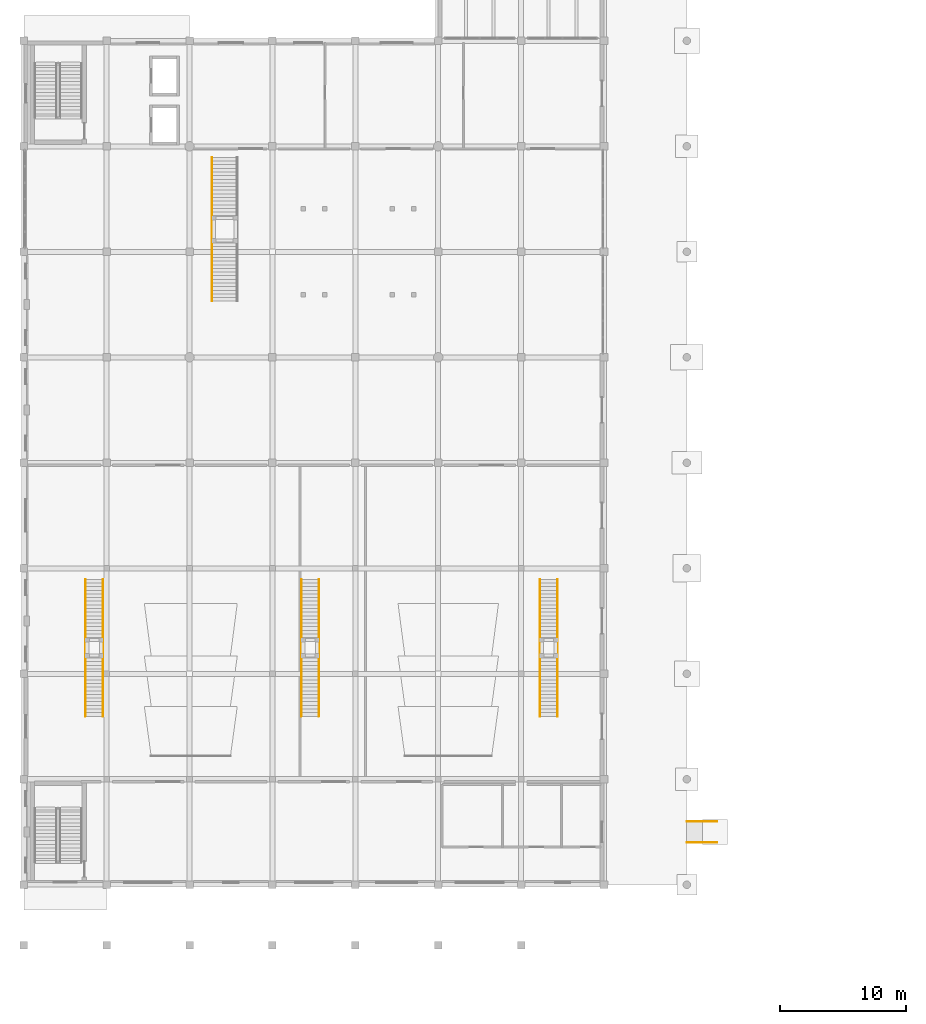
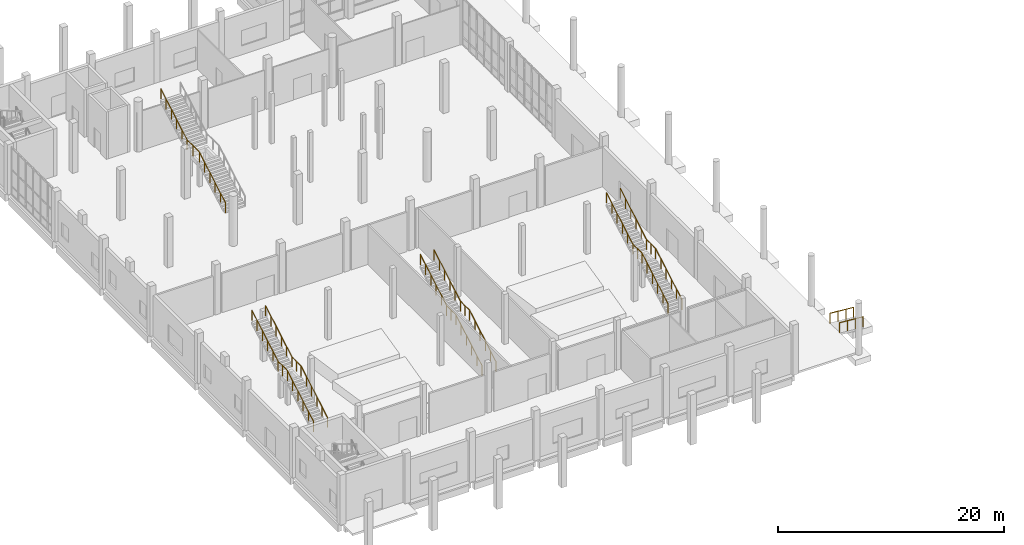
# One storey, part 56 of 64: 9 railings.
"""IFC4 building model written with IfcOpenShell, lengths in metres."""

from ifc_helpers import new_model, si_unit, direction, frame, origin, origin_2d, place, context, subcontext, project, spatial, circle, extrude, material, type_object, element, save


model = new_model("IFC4")

# Units and contexts
model_context = context("Model", 3, precision=1e-05, world=origin(), true_north=direction((0.0, 1.0)))
body_context = subcontext(model_context, "Body", "Model", "MODEL_VIEW")
ifc_project = project(units=[si_unit("LENGTHUNIT", "METRE"), si_unit("AREAUNIT", "SQUARE_METRE"), si_unit("VOLUMEUNIT", "CUBIC_METRE"), si_unit("PLANEANGLEUNIT", "RADIAN"), si_unit("MASSUNIT", "GRAM", prefix="KILO")], contexts=[model_context])

# Site, building, storey
site_placement = place(None, origin())
site = spatial("IfcSite", under=ifc_project, at=site_placement, CompositionType="ELEMENT")
building_placement = place(site_placement, origin())
building = spatial("IfcBuilding", under=site, at=building_placement, Name="Qaldarim Faculty of Natural and Applied Sciences", CompositionType="ELEMENT")
storey_placement = place(building_placement, origin())
storey = spatial("IfcBuildingStorey", under=building, at=storey_placement, Name="L00", CompositionType="ELEMENT", Elevation=0.0)

# Railings
ifc_material = material(Name="Architectural stainless steel 316", Category="steel")
railing_type_1 = type_object("IfcRailingType", Name="ExteriorGuardBalustrade-1100", PredefinedType="BALUSTRADE", material=ifc_material)
for number, where, name in (
    (1, (55.199951171875, 20.159912109375, -0.199951171875), "West civic square accessible ramp handrail L"),
    (2, (55.199951171875, 21.840087890625, -0.199951171875), "West civic square accessible ramp handrail R"),
):
    element("IfcRailing", number, at=place(storey_placement, frame(where)), inside=storey, type_object=railing_type_1, Name=name, PredefinedType="BALUSTRADE", context=body_context, shape_type="SweptSolid", body=[
        extrude(circle(Radius=0.02392578125, at=origin_2d()), frame((0.0, 0.0, 1.076171875), z_axis=(-0.996547156423, 0.0, 0.083028700011), x_axis=(0.0, -1.0, 0.0)), (0.0, 0.0, 1.0), 2.408203125),
        extrude(circle(Radius=0.02099609375, at=origin_2d()), origin(), (0.0, 0.0, 1.0), 1.052001953125),
        extrude(circle(Radius=0.02099609375, at=origin_2d()), frame((-0.800048828125, 0.0, 0.066650390625)), (0.0, 0.0, 1.0), 1.052001953125),
        extrude(circle(Radius=0.02099609375, at=origin_2d()), frame((-1.599853515625, 0.0, 0.13330078125)), (0.0, 0.0, 1.0), 1.052001953125),
        extrude(circle(Radius=0.02099609375, at=origin_2d()), frame((-2.39990234375, 0.0, 0.199951171875)), (0.0, 0.0, 1.0), 1.052001953125),
    ])
railing_type_2 = type_object("IfcRailingType", Name="GuardBalustrade-1100", PredefinedType="BALUSTRADE", material=ifc_material)
railing_1_placement = place(storey_placement, frame((15.0, 63.264892578125, 0.0)))
element("IfcRailing", 3, at=railing_1_placement, inside=storey, type_object=railing_type_2, Name="Atrium monumental stair L00 guard balustrade W", PredefinedType="BALUSTRADE", context=body_context, shape_type="SweptSolid", body=[
    extrude(circle(Radius=0.02392578125, at=origin_2d()), frame((0.0, 0.00341796875, 1.078125), z_axis=(0.0, 0.864329288335, 0.502926317989), x_axis=(-1.0, 0.0, 0.0)), (0.0, 0.0, 1.0), 5.360595703125),
    extrude(circle(Radius=0.02392578125, at=origin_2d()), frame((0.0, 4.64404296875, 3.77587890625), z_axis=(0.0, 1.0, 0.0), x_axis=(-1.0, 0.0, 0.0)), (0.0, 0.0, 1.0), 2.161865234375),
    extrude(circle(Radius=0.02392578125, at=origin_2d()), frame((0.0, 6.8134765625, 3.778076171875), z_axis=(0.0, 0.864329288335, 0.502926317989), x_axis=(-1.0, 0.0, 0.0)), (0.0, 0.0, 1.0), 5.360595703125),
    extrude(circle(Radius=0.02099609375, at=origin_2d()), origin(), (0.0, 0.0, 1.0), 1.052001953125),
    extrude(circle(Radius=0.02099609375, at=origin_2d()), frame((0.0, 0.927978515625, 0.5400390625)), (0.0, 0.0, 1.0), 1.052001953125),
    extrude(circle(Radius=0.02099609375, at=origin_2d()), frame((0.0, 1.85595703125, 1.080078125)), (0.0, 0.0, 1.0), 1.052001953125),
    extrude(circle(Radius=0.02099609375, at=origin_2d()), frame((0.0, 2.7841796875, 1.619873046875)), (0.0, 0.0, 1.0), 1.052001953125),
    extrude(circle(Radius=0.02099609375, at=origin_2d()), frame((0.0, 3.712158203125, 2.159912109375)), (0.0, 0.0, 1.0), 1.052001953125),
    extrude(circle(Radius=0.02099609375, at=origin_2d()), frame((0.0, 4.64013671875, 2.699951171875)), (0.0, 0.0, 1.0), 1.052001953125),
    extrude(circle(Radius=0.02099609375, at=origin_2d()), frame((0.0, 5.72509765625, 2.699951171875)), (0.0, 0.0, 1.0), 1.052001953125),
    extrude(circle(Radius=0.02099609375, at=origin_2d()), frame((0.0, 6.81005859375, 2.699951171875)), (0.0, 0.0, 1.0), 1.052001953125),
    extrude(circle(Radius=0.02099609375, at=origin_2d()), frame((0.0, 7.738037109375, 3.239990234375)), (0.0, 0.0, 1.0), 1.052001953125),
    extrude(circle(Radius=0.02099609375, at=origin_2d()), frame((0.0, 8.666015625, 3.780029296875)), (0.0, 0.0, 1.0), 1.052001953125),
    extrude(circle(Radius=0.02099609375, at=origin_2d()), frame((0.0, 9.59423828125, 4.31982421875)), (0.0, 0.0, 1.0), 1.052001953125),
    extrude(circle(Radius=0.02099609375, at=origin_2d()), frame((0.0, 10.522216796875, 4.85986328125)), (0.0, 0.0, 1.0), 1.052001953125),
    extrude(circle(Radius=0.02099609375, at=origin_2d()), frame((0.0, 11.4501953125, 5.39990234375)), (0.0, 0.0, 1.0), 1.052001953125),
])
railing_2_placement = place(storey_placement, frame((22.10009765625, 30.215087890625, 0.0)))
element("IfcRailing", 4, at=railing_2_placement, inside=storey, type_object=railing_type_2, Name="Lecture theatre vomitory stair 1 guard balustrade W", PredefinedType="BALUSTRADE", context=body_context, shape_type="SweptSolid", body=[
    extrude(circle(Radius=0.02392578125, at=origin_2d()), frame((0.0, 0.00341796875, 1.078125), z_axis=(0.0, 0.864317785025, 0.502946087061), x_axis=(-1.0, 0.0, 0.0)), (0.0, 0.0, 1.0), 5.3603515625),
    extrude(circle(Radius=0.02392578125, at=origin_2d()), frame((0.0, 4.643798828125, 3.77587890625), z_axis=(0.0, 1.0, 0.0), x_axis=(-1.0, 0.0, 0.0)), (0.0, 0.0, 1.0), 1.612060546875),
    extrude(circle(Radius=0.02392578125, at=origin_2d()), frame((0.0, 6.263427734375, 3.778076171875), z_axis=(0.0, 0.864317785025, 0.502946087061), x_axis=(-1.0, 0.0, 0.0)), (0.0, 0.0, 1.0), 5.3603515625),
    extrude(circle(Radius=0.02099609375, at=origin_2d()), origin(), (0.0, 0.0, 1.0), 1.052001953125),
    extrude(circle(Radius=0.02099609375, at=origin_2d()), frame((0.0, 0.927978515625, 0.5400390625)), (0.0, 0.0, 1.0), 1.052001953125),
    extrude(circle(Radius=0.02099609375, at=origin_2d()), frame((0.0, 1.85595703125, 1.080078125)), (0.0, 0.0, 1.0), 1.052001953125),
    extrude(circle(Radius=0.02099609375, at=origin_2d()), frame((0.0, 2.783935546875, 1.619873046875)), (0.0, 0.0, 1.0), 1.052001953125),
    extrude(circle(Radius=0.02099609375, at=origin_2d()), frame((0.0, 3.7119140625, 2.159912109375)), (0.0, 0.0, 1.0), 1.052001953125),
    extrude(circle(Radius=0.02099609375, at=origin_2d()), frame((0.0, 4.639892578125, 2.699951171875)), (0.0, 0.0, 1.0), 1.052001953125),
    extrude(circle(Radius=0.02099609375, at=origin_2d()), frame((0.0, 5.449951171875, 2.699951171875)), (0.0, 0.0, 1.0), 1.052001953125),
    extrude(circle(Radius=0.02099609375, at=origin_2d()), frame((0.0, 6.260009765625, 2.699951171875)), (0.0, 0.0, 1.0), 1.052001953125),
    extrude(circle(Radius=0.02099609375, at=origin_2d()), frame((0.0, 7.18798828125, 3.239990234375)), (0.0, 0.0, 1.0), 1.052001953125),
    extrude(circle(Radius=0.02099609375, at=origin_2d()), frame((0.0, 8.115966796875, 3.780029296875)), (0.0, 0.0, 1.0), 1.052001953125),
    extrude(circle(Radius=0.02099609375, at=origin_2d()), frame((0.0, 9.0439453125, 4.31982421875)), (0.0, 0.0, 1.0), 1.052001953125),
    extrude(circle(Radius=0.02099609375, at=origin_2d()), frame((0.0, 9.971923828125, 4.85986328125)), (0.0, 0.0, 1.0), 1.052001953125),
    extrude(circle(Radius=0.02099609375, at=origin_2d()), frame((0.0, 10.89990234375, 5.39990234375)), (0.0, 0.0, 1.0), 1.052001953125),
])
railing_3_placement = place(storey_placement, frame((23.5, 30.215087890625, 0.0)))
element("IfcRailing", 5, at=railing_3_placement, inside=storey, type_object=railing_type_2, Name="Lecture theatre vomitory stair 1 guard balustrade E", PredefinedType="BALUSTRADE", context=body_context, shape_type="SweptSolid", body=[
    extrude(circle(Radius=0.02392578125, at=origin_2d()), frame((0.0, 0.00341796875, 1.078125), z_axis=(0.0, 0.864317785025, 0.502946087061), x_axis=(-1.0, 0.0, 0.0)), (0.0, 0.0, 1.0), 5.3603515625),
    extrude(circle(Radius=0.02392578125, at=origin_2d()), frame((0.0, 4.643798828125, 3.77587890625), z_axis=(0.0, 1.0, 0.0), x_axis=(-1.0, 0.0, 0.0)), (0.0, 0.0, 1.0), 1.612060546875),
    extrude(circle(Radius=0.02392578125, at=origin_2d()), frame((0.0, 6.263427734375, 3.778076171875), z_axis=(0.0, 0.864317785025, 0.502946087061), x_axis=(-1.0, 0.0, 0.0)), (0.0, 0.0, 1.0), 5.3603515625),
    extrude(circle(Radius=0.02099609375, at=origin_2d()), origin(), (0.0, 0.0, 1.0), 1.052001953125),
    extrude(circle(Radius=0.02099609375, at=origin_2d()), frame((0.0, 0.927978515625, 0.5400390625)), (0.0, 0.0, 1.0), 1.052001953125),
    extrude(circle(Radius=0.02099609375, at=origin_2d()), frame((0.0, 1.85595703125, 1.080078125)), (0.0, 0.0, 1.0), 1.052001953125),
    extrude(circle(Radius=0.02099609375, at=origin_2d()), frame((0.0, 2.783935546875, 1.619873046875)), (0.0, 0.0, 1.0), 1.052001953125),
    extrude(circle(Radius=0.02099609375, at=origin_2d()), frame((0.0, 3.7119140625, 2.159912109375)), (0.0, 0.0, 1.0), 1.052001953125),
    extrude(circle(Radius=0.02099609375, at=origin_2d()), frame((0.0, 4.639892578125, 2.699951171875)), (0.0, 0.0, 1.0), 1.052001953125),
    extrude(circle(Radius=0.02099609375, at=origin_2d()), frame((0.0, 5.449951171875, 2.699951171875)), (0.0, 0.0, 1.0), 1.052001953125),
    extrude(circle(Radius=0.02099609375, at=origin_2d()), frame((0.0, 6.260009765625, 2.699951171875)), (0.0, 0.0, 1.0), 1.052001953125),
    extrude(circle(Radius=0.02099609375, at=origin_2d()), frame((0.0, 7.18798828125, 3.239990234375)), (0.0, 0.0, 1.0), 1.052001953125),
    extrude(circle(Radius=0.02099609375, at=origin_2d()), frame((0.0, 8.115966796875, 3.780029296875)), (0.0, 0.0, 1.0), 1.052001953125),
    extrude(circle(Radius=0.02099609375, at=origin_2d()), frame((0.0, 9.0439453125, 4.31982421875)), (0.0, 0.0, 1.0), 1.052001953125),
    extrude(circle(Radius=0.02099609375, at=origin_2d()), frame((0.0, 9.971923828125, 4.85986328125)), (0.0, 0.0, 1.0), 1.052001953125),
    extrude(circle(Radius=0.02099609375, at=origin_2d()), frame((0.0, 10.89990234375, 5.39990234375)), (0.0, 0.0, 1.0), 1.052001953125),
])
railing_4_placement = place(storey_placement, frame((41.10009765625, 30.215087890625, 0.0)))
element("IfcRailing", 6, at=railing_4_placement, inside=storey, type_object=railing_type_2, Name="Lecture theatre vomitory stair 2 guard balustrade W", PredefinedType="BALUSTRADE", context=body_context, shape_type="SweptSolid", body=[
    extrude(circle(Radius=0.02392578125, at=origin_2d()), frame((0.0, 0.00341796875, 1.078125), z_axis=(0.0, 0.864317785025, 0.502946087061), x_axis=(-1.0, 0.0, 0.0)), (0.0, 0.0, 1.0), 5.3603515625),
    extrude(circle(Radius=0.02392578125, at=origin_2d()), frame((0.0, 4.643798828125, 3.77587890625), z_axis=(0.0, 1.0, 0.0), x_axis=(-1.0, 0.0, 0.0)), (0.0, 0.0, 1.0), 1.612060546875),
    extrude(circle(Radius=0.02392578125, at=origin_2d()), frame((0.0, 6.263427734375, 3.778076171875), z_axis=(0.0, 0.864317785025, 0.502946087061), x_axis=(-1.0, 0.0, 0.0)), (0.0, 0.0, 1.0), 5.3603515625),
    extrude(circle(Radius=0.02099609375, at=origin_2d()), origin(), (0.0, 0.0, 1.0), 1.052001953125),
    extrude(circle(Radius=0.02099609375, at=origin_2d()), frame((0.0, 0.927978515625, 0.5400390625)), (0.0, 0.0, 1.0), 1.052001953125),
    extrude(circle(Radius=0.02099609375, at=origin_2d()), frame((0.0, 1.85595703125, 1.080078125)), (0.0, 0.0, 1.0), 1.052001953125),
    extrude(circle(Radius=0.02099609375, at=origin_2d()), frame((0.0, 2.783935546875, 1.619873046875)), (0.0, 0.0, 1.0), 1.052001953125),
    extrude(circle(Radius=0.02099609375, at=origin_2d()), frame((0.0, 3.7119140625, 2.159912109375)), (0.0, 0.0, 1.0), 1.052001953125),
    extrude(circle(Radius=0.02099609375, at=origin_2d()), frame((0.0, 4.639892578125, 2.699951171875)), (0.0, 0.0, 1.0), 1.052001953125),
    extrude(circle(Radius=0.02099609375, at=origin_2d()), frame((0.0, 5.449951171875, 2.699951171875)), (0.0, 0.0, 1.0), 1.052001953125),
    extrude(circle(Radius=0.02099609375, at=origin_2d()), frame((0.0, 6.260009765625, 2.699951171875)), (0.0, 0.0, 1.0), 1.052001953125),
    extrude(circle(Radius=0.02099609375, at=origin_2d()), frame((0.0, 7.18798828125, 3.239990234375)), (0.0, 0.0, 1.0), 1.052001953125),
    extrude(circle(Radius=0.02099609375, at=origin_2d()), frame((0.0, 8.115966796875, 3.780029296875)), (0.0, 0.0, 1.0), 1.052001953125),
    extrude(circle(Radius=0.02099609375, at=origin_2d()), frame((0.0, 9.0439453125, 4.31982421875)), (0.0, 0.0, 1.0), 1.052001953125),
    extrude(circle(Radius=0.02099609375, at=origin_2d()), frame((0.0, 9.971923828125, 4.85986328125)), (0.0, 0.0, 1.0), 1.052001953125),
    extrude(circle(Radius=0.02099609375, at=origin_2d()), frame((0.0, 10.89990234375, 5.39990234375)), (0.0, 0.0, 1.0), 1.052001953125),
])
railing_5_placement = place(storey_placement, frame((42.5, 30.215087890625, 0.0)))
element("IfcRailing", 7, at=railing_5_placement, inside=storey, type_object=railing_type_2, Name="Lecture theatre vomitory stair 2 guard balustrade E", PredefinedType="BALUSTRADE", context=body_context, shape_type="SweptSolid", body=[
    extrude(circle(Radius=0.02392578125, at=origin_2d()), frame((0.0, 0.00341796875, 1.078125), z_axis=(0.0, 0.864317785025, 0.502946087061), x_axis=(-1.0, 0.0, 0.0)), (0.0, 0.0, 1.0), 5.3603515625),
    extrude(circle(Radius=0.02392578125, at=origin_2d()), frame((0.0, 4.643798828125, 3.77587890625), z_axis=(0.0, 1.0, 0.0), x_axis=(-1.0, 0.0, 0.0)), (0.0, 0.0, 1.0), 1.612060546875),
    extrude(circle(Radius=0.02392578125, at=origin_2d()), frame((0.0, 6.263427734375, 3.778076171875), z_axis=(0.0, 0.864317785025, 0.502946087061), x_axis=(-1.0, 0.0, 0.0)), (0.0, 0.0, 1.0), 5.3603515625),
    extrude(circle(Radius=0.02099609375, at=origin_2d()), origin(), (0.0, 0.0, 1.0), 1.052001953125),
    extrude(circle(Radius=0.02099609375, at=origin_2d()), frame((0.0, 0.927978515625, 0.5400390625)), (0.0, 0.0, 1.0), 1.052001953125),
    extrude(circle(Radius=0.02099609375, at=origin_2d()), frame((0.0, 1.85595703125, 1.080078125)), (0.0, 0.0, 1.0), 1.052001953125),
    extrude(circle(Radius=0.02099609375, at=origin_2d()), frame((0.0, 2.783935546875, 1.619873046875)), (0.0, 0.0, 1.0), 1.052001953125),
    extrude(circle(Radius=0.02099609375, at=origin_2d()), frame((0.0, 3.7119140625, 2.159912109375)), (0.0, 0.0, 1.0), 1.052001953125),
    extrude(circle(Radius=0.02099609375, at=origin_2d()), frame((0.0, 4.639892578125, 2.699951171875)), (0.0, 0.0, 1.0), 1.052001953125),
    extrude(circle(Radius=0.02099609375, at=origin_2d()), frame((0.0, 5.449951171875, 2.699951171875)), (0.0, 0.0, 1.0), 1.052001953125),
    extrude(circle(Radius=0.02099609375, at=origin_2d()), frame((0.0, 6.260009765625, 2.699951171875)), (0.0, 0.0, 1.0), 1.052001953125),
    extrude(circle(Radius=0.02099609375, at=origin_2d()), frame((0.0, 7.18798828125, 3.239990234375)), (0.0, 0.0, 1.0), 1.052001953125),
    extrude(circle(Radius=0.02099609375, at=origin_2d()), frame((0.0, 8.115966796875, 3.780029296875)), (0.0, 0.0, 1.0), 1.052001953125),
    extrude(circle(Radius=0.02099609375, at=origin_2d()), frame((0.0, 9.0439453125, 4.31982421875)), (0.0, 0.0, 1.0), 1.052001953125),
    extrude(circle(Radius=0.02099609375, at=origin_2d()), frame((0.0, 9.971923828125, 4.85986328125)), (0.0, 0.0, 1.0), 1.052001953125),
    extrude(circle(Radius=0.02099609375, at=origin_2d()), frame((0.0, 10.89990234375, 5.39990234375)), (0.0, 0.0, 1.0), 1.052001953125),
])
railing_6_placement = place(storey_placement, frame((4.89990234375, 30.215087890625, 0.0)))
element("IfcRailing", 8, at=railing_6_placement, inside=storey, type_object=railing_type_2, Name="Lecture theatre vomitory stair 3 guard balustrade W", PredefinedType="BALUSTRADE", context=body_context, shape_type="SweptSolid", body=[
    extrude(circle(Radius=0.02392578125, at=origin_2d()), frame((0.0, 0.00341796875, 1.078125), z_axis=(0.0, 0.864317785025, 0.502946087061), x_axis=(-1.0, 0.0, 0.0)), (0.0, 0.0, 1.0), 5.3603515625),
    extrude(circle(Radius=0.02392578125, at=origin_2d()), frame((0.0, 4.643798828125, 3.77587890625), z_axis=(0.0, 1.0, 0.0), x_axis=(-1.0, 0.0, 0.0)), (0.0, 0.0, 1.0), 1.612060546875),
    extrude(circle(Radius=0.02392578125, at=origin_2d()), frame((0.0, 6.263427734375, 3.778076171875), z_axis=(0.0, 0.864317785025, 0.502946087061), x_axis=(-1.0, 0.0, 0.0)), (0.0, 0.0, 1.0), 5.3603515625),
    extrude(circle(Radius=0.02099609375, at=origin_2d()), origin(), (0.0, 0.0, 1.0), 1.052001953125),
    extrude(circle(Radius=0.02099609375, at=origin_2d()), frame((0.0, 0.927978515625, 0.5400390625)), (0.0, 0.0, 1.0), 1.052001953125),
    extrude(circle(Radius=0.02099609375, at=origin_2d()), frame((0.0, 1.85595703125, 1.080078125)), (0.0, 0.0, 1.0), 1.052001953125),
    extrude(circle(Radius=0.02099609375, at=origin_2d()), frame((0.0, 2.783935546875, 1.619873046875)), (0.0, 0.0, 1.0), 1.052001953125),
    extrude(circle(Radius=0.02099609375, at=origin_2d()), frame((0.0, 3.7119140625, 2.159912109375)), (0.0, 0.0, 1.0), 1.052001953125),
    extrude(circle(Radius=0.02099609375, at=origin_2d()), frame((0.0, 4.639892578125, 2.699951171875)), (0.0, 0.0, 1.0), 1.052001953125),
    extrude(circle(Radius=0.02099609375, at=origin_2d()), frame((0.0, 5.449951171875, 2.699951171875)), (0.0, 0.0, 1.0), 1.052001953125),
    extrude(circle(Radius=0.02099609375, at=origin_2d()), frame((0.0, 6.260009765625, 2.699951171875)), (0.0, 0.0, 1.0), 1.052001953125),
    extrude(circle(Radius=0.02099609375, at=origin_2d()), frame((0.0, 7.18798828125, 3.239990234375)), (0.0, 0.0, 1.0), 1.052001953125),
    extrude(circle(Radius=0.02099609375, at=origin_2d()), frame((0.0, 8.115966796875, 3.780029296875)), (0.0, 0.0, 1.0), 1.052001953125),
    extrude(circle(Radius=0.02099609375, at=origin_2d()), frame((0.0, 9.0439453125, 4.31982421875)), (0.0, 0.0, 1.0), 1.052001953125),
    extrude(circle(Radius=0.02099609375, at=origin_2d()), frame((0.0, 9.971923828125, 4.85986328125)), (0.0, 0.0, 1.0), 1.052001953125),
    extrude(circle(Radius=0.02099609375, at=origin_2d()), frame((0.0, 10.89990234375, 5.39990234375)), (0.0, 0.0, 1.0), 1.052001953125),
])
railing_7_placement = place(storey_placement, frame((6.300048828125, 30.215087890625, 0.0)))
element("IfcRailing", 9, at=railing_7_placement, inside=storey, type_object=railing_type_2, Name="Lecture theatre vomitory stair 3 guard balustrade E", PredefinedType="BALUSTRADE", context=body_context, shape_type="SweptSolid", body=[
    extrude(circle(Radius=0.02392578125, at=origin_2d()), frame((0.0, 0.00341796875, 1.078125), z_axis=(0.0, 0.864317785025, 0.502946087061), x_axis=(-1.0, 0.0, 0.0)), (0.0, 0.0, 1.0), 5.3603515625),
    extrude(circle(Radius=0.02392578125, at=origin_2d()), frame((0.0, 4.643798828125, 3.77587890625), z_axis=(0.0, 1.0, 0.0), x_axis=(-1.0, 0.0, 0.0)), (0.0, 0.0, 1.0), 1.612060546875),
    extrude(circle(Radius=0.02392578125, at=origin_2d()), frame((0.0, 6.263427734375, 3.778076171875), z_axis=(0.0, 0.864317785025, 0.502946087061), x_axis=(-1.0, 0.0, 0.0)), (0.0, 0.0, 1.0), 5.3603515625),
    extrude(circle(Radius=0.02099609375, at=origin_2d()), origin(), (0.0, 0.0, 1.0), 1.052001953125),
    extrude(circle(Radius=0.02099609375, at=origin_2d()), frame((0.0, 0.927978515625, 0.5400390625)), (0.0, 0.0, 1.0), 1.052001953125),
    extrude(circle(Radius=0.02099609375, at=origin_2d()), frame((0.0, 1.85595703125, 1.080078125)), (0.0, 0.0, 1.0), 1.052001953125),
    extrude(circle(Radius=0.02099609375, at=origin_2d()), frame((0.0, 2.783935546875, 1.619873046875)), (0.0, 0.0, 1.0), 1.052001953125),
    extrude(circle(Radius=0.02099609375, at=origin_2d()), frame((0.0, 3.7119140625, 2.159912109375)), (0.0, 0.0, 1.0), 1.052001953125),
    extrude(circle(Radius=0.02099609375, at=origin_2d()), frame((0.0, 4.639892578125, 2.699951171875)), (0.0, 0.0, 1.0), 1.052001953125),
    extrude(circle(Radius=0.02099609375, at=origin_2d()), frame((0.0, 5.449951171875, 2.699951171875)), (0.0, 0.0, 1.0), 1.052001953125),
    extrude(circle(Radius=0.02099609375, at=origin_2d()), frame((0.0, 6.260009765625, 2.699951171875)), (0.0, 0.0, 1.0), 1.052001953125),
    extrude(circle(Radius=0.02099609375, at=origin_2d()), frame((0.0, 7.18798828125, 3.239990234375)), (0.0, 0.0, 1.0), 1.052001953125),
    extrude(circle(Radius=0.02099609375, at=origin_2d()), frame((0.0, 8.115966796875, 3.780029296875)), (0.0, 0.0, 1.0), 1.052001953125),
    extrude(circle(Radius=0.02099609375, at=origin_2d()), frame((0.0, 9.0439453125, 4.31982421875)), (0.0, 0.0, 1.0), 1.052001953125),
    extrude(circle(Radius=0.02099609375, at=origin_2d()), frame((0.0, 9.971923828125, 4.85986328125)), (0.0, 0.0, 1.0), 1.052001953125),
    extrude(circle(Radius=0.02099609375, at=origin_2d()), frame((0.0, 10.89990234375, 5.39990234375)), (0.0, 0.0, 1.0), 1.052001953125),
])

save(model, "model.ifc")
